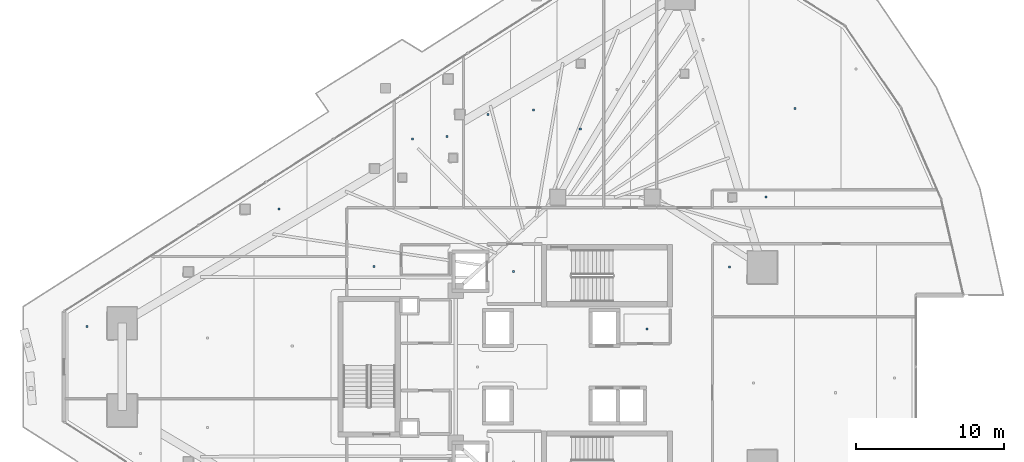
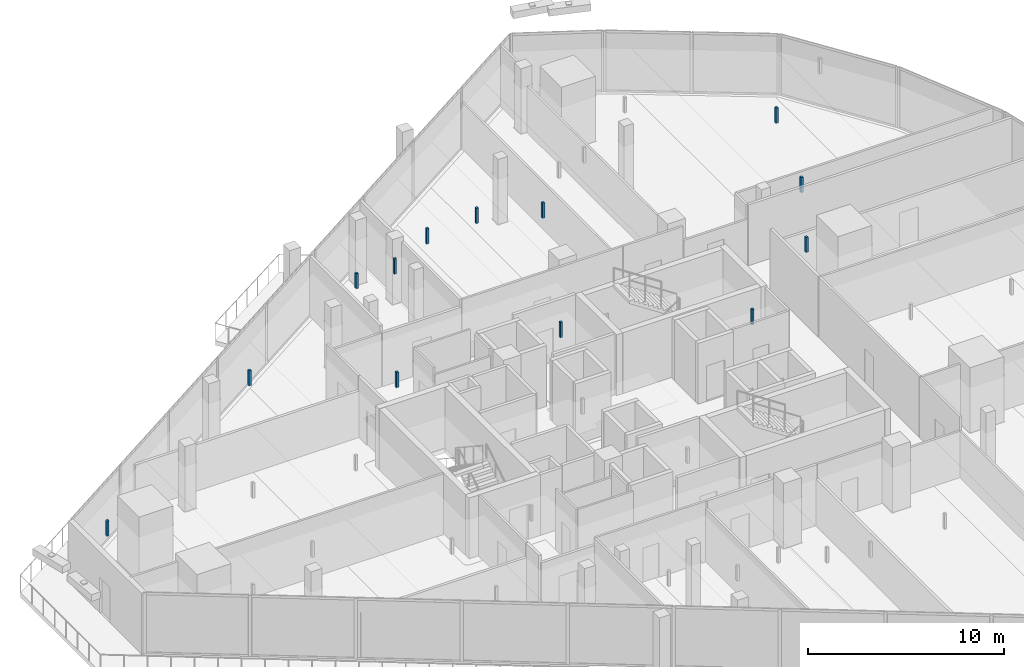
# One storey, part 30 of 39: 13 discrete accessories.
"""IFC4 building model written with IfcOpenShell, lengths in metres."""

from ifc_helpers import new_model, si_unit, direction, frame, origin, origin_2d, place, context, subcontext, project, spatial, rectangle, extrude, material, type_object, element, save


model = new_model("IFC4")

# Units and contexts
model_context = context("Model", 3, precision=1e-05, world=origin(), true_north=direction((0.0, 1.0)))
body_context = subcontext(model_context, "Body", "Model", "MODEL_VIEW")
ifc_project = project(units=[si_unit("LENGTHUNIT", "METRE"), si_unit("AREAUNIT", "SQUARE_METRE"), si_unit("VOLUMEUNIT", "CUBIC_METRE"), si_unit("PLANEANGLEUNIT", "RADIAN"), si_unit("MASSUNIT", "GRAM", prefix="KILO")], contexts=[model_context])

# Site, building, storey
site_placement = place(None, origin())
site = spatial("IfcSite", under=ifc_project, at=site_placement, CompositionType="ELEMENT")
building_placement = place(site_placement, origin())
building = spatial("IfcBuilding", under=site, at=building_placement, Name="Qorvath Tower", CompositionType="ELEMENT")
storey_placement = place(building_placement, frame((0.0, 0.0, 142.199951171875)))
storey = spatial("IfcBuildingStorey", under=building, at=storey_placement, Name="L32", CompositionType="ELEMENT", Elevation=142.199951171875)

# Discrete accessories
ifc_material = material(Name="Galvanised steel bracket", Category="steel")
discrete_accessory_type = type_object("IfcDiscreteAccessoryType", Name="DA-BRACKET", PredefinedType="BRACKET", material=ifc_material)
for number, where, z_axis, x_axis, name in (
    (1, (-26.590087890625, 6.449951171875, 2.85986328125), (0.0, 0.0, 1.0), (1.0, 0.0, 0.0), "Acoustic Ceiling Suspension Hanger T1-L32-001"),
    (2, (-17.572509765625, 2.5625, 2.85986328125), (0.0, 0.0, 1.0), (1.0, 0.0, 0.0), "Acoustic Ceiling Suspension Hanger T1-L32-003"),
    (3, (-36.040283203125, 6.782470703125, 2.85986328125), (0.0, 0.0, 1.0), (1.0, 0.0, 0.0), "Acoustic Ceiling Suspension Hanger T1-L32-009"),
    (4, (-33.428955078125, 15.41259765625, 2.85986328125), (0.0, 0.0, 1.0), (1.0, 0.0, 0.0), "Acoustic Ceiling Suspension Hanger T1-L32-011"),
    (5, (-31.0986328125, 15.55810546875, 2.85986328125), (0.0, 0.0, 1.0), (1.0, 0.0, 0.0), "Acoustic Ceiling Suspension Hanger T1-L32-012"),
    (6, (-28.325927734375, 17.0595703125, 2.85986328125), (0.0, 0.0, 1.0), (1.0, 0.0, 0.0), "Acoustic Ceiling Suspension Hanger T1-L32-013"),
    (7, (-25.235107421875, 17.370361328125, 2.85986328125), (0.0, 0.0, 1.0), (1.0, 0.0, 0.0), "Acoustic Ceiling Suspension Hanger T1-L32-014"),
    (8, (-22.08203125, 16.088623046875, 2.85986328125), (0.0, 0.0, 1.0), (1.0, 0.0, 0.0), "Acoustic Ceiling Suspension Hanger T1-L32-015"),
    (9, (-7.558349609375, 17.451171875, 2.85986328125), (0.0, 0.0, 1.0), (1.0, 0.0, 0.0), "Acoustic Ceiling Suspension Hanger T1-L32-019"),
    (10, (-11.979248046875, 6.74267578125, 2.85986328125), (0.0, 0.0, 1.0), (1.0, 0.0, 0.0), "Acoustic Ceiling Suspension Hanger T1-L32-035"),
    (11, (-9.535888671875, 11.47119140625, 2.85986328125), (0.0, 0.0, 1.0), (1.0, 0.0, 0.0), "Acoustic Ceiling Suspension Hanger T1-L32-036"),
    (12, (-55.416259765625, 2.725341796875, 2.85986328125), (0.0, 0.0, 1.0), (1.0, 0.0, 0.0), "Acoustic Ceiling Suspension Hanger T1-L32-043"),
    (13, (-42.4609375, 10.673583984375, 2.85986328125), (0.0, 0.0, 1.0), (1.0, 0.0, 0.0), "Acoustic Ceiling Suspension Hanger T1-L32-046"),
):
    element("IfcDiscreteAccessory", number, at=place(storey_placement, frame(where, z_axis=z_axis, x_axis=x_axis)), inside=storey, type_object=discrete_accessory_type, Name=name, PredefinedType="NOTDEFINED", context=body_context, shape_type="SweptSolid", body=[
        extrude(rectangle(XDim=0.139892578125, YDim=0.139892578125, at=origin_2d()), origin(), (0.0, 0.0, 1.0), 0.949951171875),
    ])

save(model, "model.ifc")
